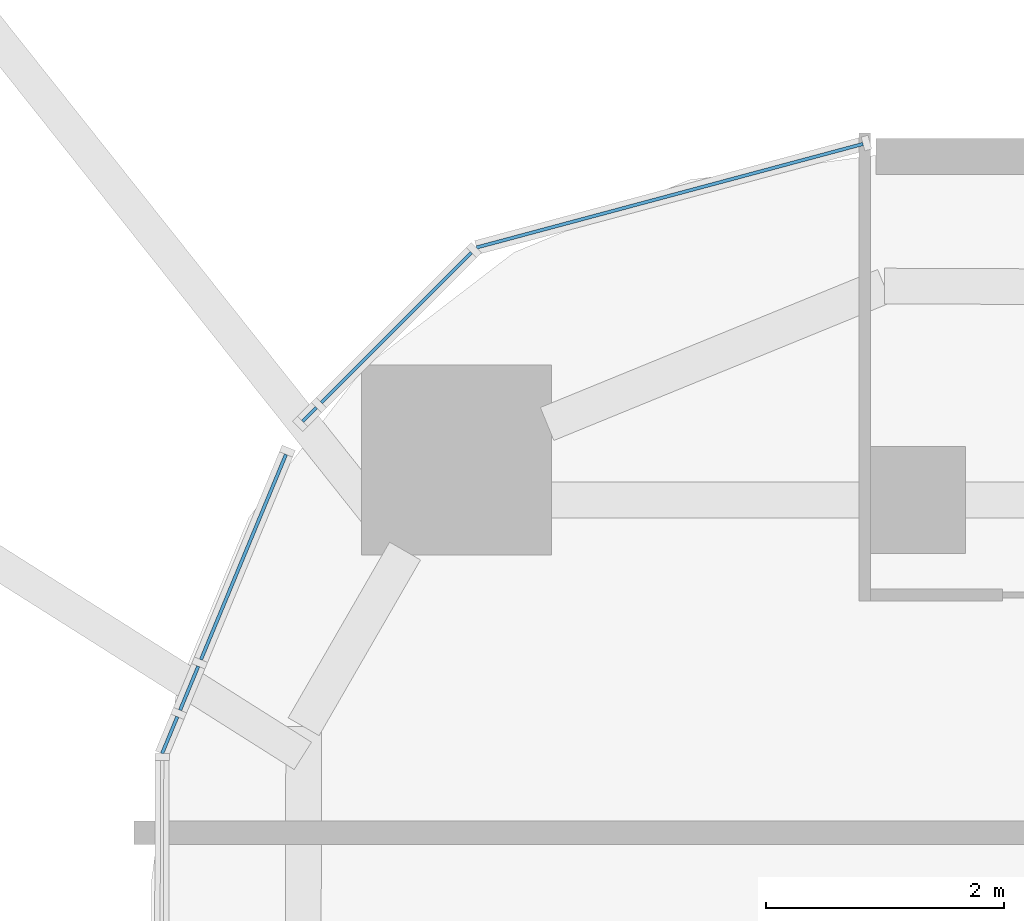
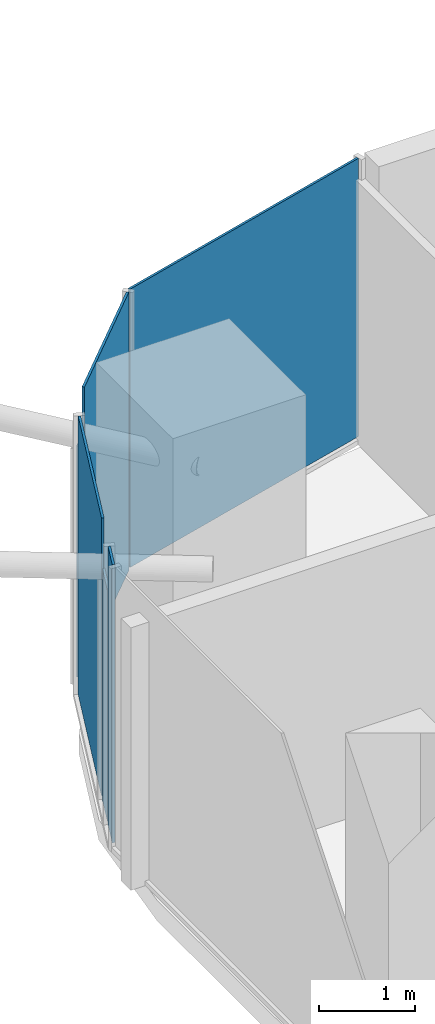
# One storey, part 25 of 36: 6 plates, 6 elements without a shape of their own.
"""IFC4 building model written with IfcOpenShell, lengths in metres."""

from ifc_helpers import new_model, si_unit, direction, frame, origin, origin_2d, place, context, subcontext, project, spatial, rectangle, extrude, material, layer, layer_set, type_object, element, aggregate, save


model = new_model("IFC4")

# Units and contexts
model_context = context("Model", 3, precision=1e-05, world=origin(), true_north=direction((0.0, 1.0)))
body_context = subcontext(model_context, "Body", "Model", "MODEL_VIEW")
ifc_project = project(units=[si_unit("LENGTHUNIT", "METRE"), si_unit("AREAUNIT", "SQUARE_METRE"), si_unit("VOLUMEUNIT", "CUBIC_METRE"), si_unit("PLANEANGLEUNIT", "RADIAN"), si_unit("MASSUNIT", "GRAM", prefix="KILO")], contexts=[model_context])

# Site, building, storey
site_placement = place(None, origin())
site = spatial("IfcSite", under=ifc_project, at=site_placement, CompositionType="ELEMENT")
building_placement = place(site_placement, origin())
building = spatial("IfcBuilding", under=site, at=building_placement, Name="Marenta Gate Hotel Tower", CompositionType="ELEMENT")
storey_placement = place(building_placement, frame((0.0, 0.0, 130.10009765625)))
storey = spatial("IfcBuildingStorey", under=building, at=storey_placement, Name="L29", CompositionType="ELEMENT", Elevation=130.10009765625)

# Curtain wall, plate
ifc_material_1 = material(Name="Tinted insulated glass in bronze anodised frame", Category="glass")
ifc_layer_1 = layer(ifc_material_1, 0.1201171875)
ifc_layer_set_1 = layer_set([ifc_layer_1], Name="Tinted insulated glass in bronze anodised frame")
curtain_wall_type = type_object("IfcCurtainWallType", Name="Tower unitised curtain wall CW1", PredefinedType="NOTDEFINED", material=ifc_layer_set_1)
curtain_wall_1_placement = place(storey_placement, origin())
curtain_wall_1 = element("IfcCurtainWall", 1, at=curtain_wall_1_placement, inside=storey, type_object=curtain_wall_type, Name="CW1 run G00", PredefinedType="NOTDEFINED")
ifc_material_2 = material(Name="Tinted insulated glass", Category="glass")
ifc_layer_2 = layer(ifc_material_2, 0.028076171875)
ifc_layer_set_2 = layer_set([ifc_layer_2], Name="Tinted insulated glass")
plate_type = type_object("IfcPlateType", Name="Glass panel CW1 28 mm tinted insulated unit", PredefinedType="CURTAIN_PANEL", material=ifc_layer_set_2)
plate_1_placement = place(storey_placement, frame((-23.04052734375, 27.759765625, 0.059814453125), z_axis=(0.0, 0.0, 1.0), x_axis=(-0.96593059835, -0.258801234873, 0.0)))
plate_1 = element("IfcPlate", 2, at=plate_1_placement, type_object=plate_type, Name="CW1 panel 1.1", PredefinedType="CURTAIN_PANEL", context=body_context, shape_type="SweptSolid", body=[
    extrude(rectangle(XDim=3.366943359375, YDim=0.028076171875, at=origin_2d()), origin(), (0.0, 0.0, 1.0), 3.5400390625),
])
aggregate(curtain_wall_1, [plate_1])

curtain_wall_2_placement = place(storey_placement, origin())
curtain_wall_2 = element("IfcCurtainWall", 3, at=curtain_wall_2_placement, inside=storey, type_object=curtain_wall_type, Name="CW1 run G01", PredefinedType="NOTDEFINED")
plate_2_placement = place(storey_placement, frame((-25.340087890625, 26.650634765625, 0.059814453125), z_axis=(0.0, 0.0, 1.0), x_axis=(-0.707106781187, -0.707106781187, 0.0)))
plate_2 = element("IfcPlate", 4, at=plate_2_placement, type_object=plate_type, Name="CW1 panel 1.1", PredefinedType="CURTAIN_PANEL", context=body_context, shape_type="SweptSolid", body=[
    extrude(rectangle(XDim=1.784912109375, YDim=0.028076171875, at=origin_2d()), origin(), (0.0, 0.0, 1.0), 3.5400390625),
])
aggregate(curtain_wall_2, [plate_2])

curtain_wall_3_placement = place(storey_placement, origin())
curtain_wall_3 = element("IfcCurtainWall", 5, at=curtain_wall_3_placement, inside=storey, type_object=curtain_wall_type, Name="CW1 run G02", PredefinedType="NOTDEFINED")
plate_3_placement = place(storey_placement, frame((-26.07177734375, 25.9189453125, 0.06005859375), z_axis=(0.0, 0.0, 1.0), x_axis=(-0.707106781187, -0.707106781187, 0.0)))
plate_3 = element("IfcPlate", 6, at=plate_3_placement, type_object=plate_type, Name="CW1 panel 1.1", PredefinedType="CURTAIN_PANEL", context=body_context, shape_type="SweptSolid", body=[
    extrude(rectangle(XDim=0.164306640625, YDim=0.028076171875, at=origin_2d()), origin(), (0.0, 0.0, 1.0), 2.9404296875),
])
aggregate(curtain_wall_3, [plate_3])

curtain_wall_4_placement = place(storey_placement, origin())
curtain_wall_4 = element("IfcCurtainWall", 7, at=curtain_wall_4_placement, inside=storey, type_object=curtain_wall_type, Name="CW1 run G03", PredefinedType="NOTDEFINED")
plate_4_placement = place(storey_placement, frame((-26.627685546875, 24.71923828125, 0.059814453125), z_axis=(0.0, 0.0, 1.0), x_axis=(-0.382693564371, -0.923875335632, 0.0)))
plate_4 = element("IfcPlate", 8, at=plate_4_placement, type_object=plate_type, Name="CW1 panel 1.1", PredefinedType="CURTAIN_PANEL", context=body_context, shape_type="SweptSolid", body=[
    extrude(rectangle(XDim=1.869384765625, YDim=0.028076171875, at=origin_2d()), origin(), (0.0, 0.0, 1.0), 3.5400390625),
])
aggregate(curtain_wall_4, [plate_4])

curtain_wall_5_placement = place(storey_placement, origin())
curtain_wall_5 = element("IfcCurtainWall", 9, at=curtain_wall_5_placement, inside=storey, type_object=curtain_wall_type, Name="CW1 run G04", PredefinedType="NOTDEFINED")
plate_5_placement = place(storey_placement, frame((-27.084716796875, 23.615478515625, 0.06005859375), z_axis=(0.0, 0.0, 1.0), x_axis=(-0.382838458625, -0.923815303293, 0.0)))
plate_5 = element("IfcPlate", 10, at=plate_5_placement, type_object=plate_type, Name="CW1 panel 1.1", PredefinedType="CURTAIN_PANEL", context=body_context, shape_type="SweptSolid", body=[
    extrude(rectangle(XDim=0.399658203125, YDim=0.028076171875, at=origin_2d()), origin(), (0.0, 0.0, 1.0), 2.9404296875),
])
aggregate(curtain_wall_5, [plate_5])

curtain_wall_6_placement = place(storey_placement, origin())
curtain_wall_6 = element("IfcCurtainWall", 11, at=curtain_wall_6_placement, inside=storey, type_object=curtain_wall_type, Name="CW1 run G05", PredefinedType="NOTDEFINED")
plate_6_placement = place(storey_placement, frame((-27.248291015625, 23.220947265625, 0.059814453125), z_axis=(0.0, 0.0, 1.0), x_axis=(-0.382456188848, -0.923973627119, 0.0)))
plate_6 = element("IfcPlate", 12, at=plate_6_placement, type_object=plate_type, Name="CW1 panel 1.1", PredefinedType="CURTAIN_PANEL", context=body_context, shape_type="SweptSolid", body=[
    extrude(rectangle(XDim=0.334716796875, YDim=0.028076171875, at=origin_2d()), origin(), (0.0, 0.0, 1.0), 3.5400390625),
])
aggregate(curtain_wall_6, [plate_6])

save(model, "model.ifc")
